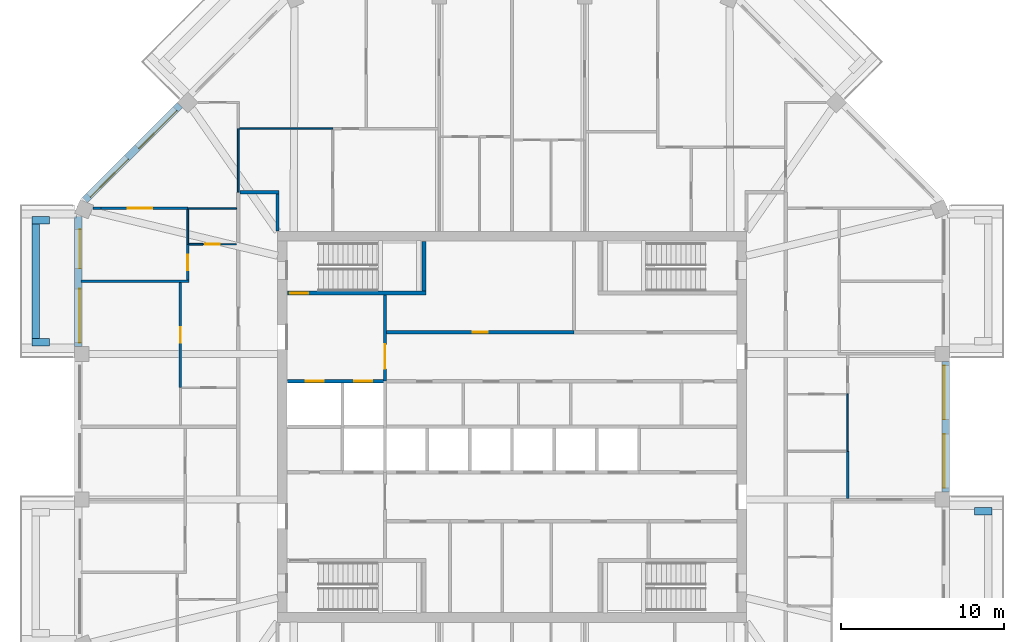
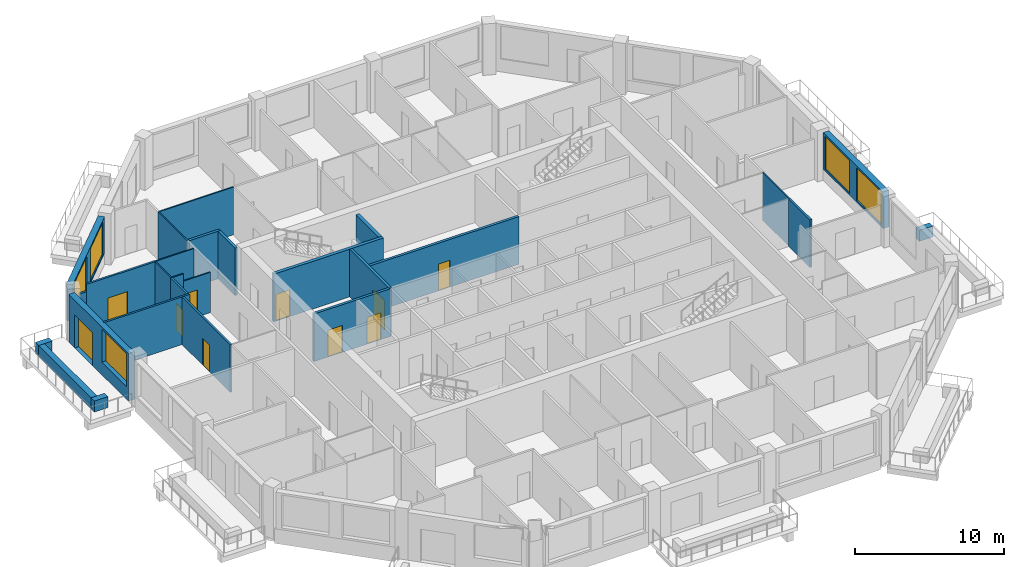
# One storey, part 7 of 12: 27 walls, 10 doors, 5 windows, 15 openings.
"""IFC4 building model written with IfcOpenShell, lengths in metres."""

from ifc_helpers import new_model, si_unit, direction, frame, frame_2d, origin, place, context, subcontext, project, spatial, rectangle, extrude, material, layer, layer_set, type_object, element, fill, save


model = new_model("IFC4")

# Units and contexts
model_context = context("Model", 3, precision=1e-05, world=origin(), true_north=direction((0.0, 1.0)))
body_context = subcontext(model_context, "Body", "Model", "MODEL_VIEW")
ifc_project = project(units=[si_unit("LENGTHUNIT", "METRE"), si_unit("AREAUNIT", "SQUARE_METRE"), si_unit("VOLUMEUNIT", "CUBIC_METRE"), si_unit("PLANEANGLEUNIT", "RADIAN"), si_unit("MASSUNIT", "GRAM", prefix="KILO")], contexts=[model_context])

# Site, building, storey
site_placement = place(None, origin())
site = spatial("IfcSite", under=ifc_project, at=site_placement, CompositionType="ELEMENT")
building_placement = place(site_placement, origin())
building = spatial("IfcBuilding", under=site, at=building_placement, Name="Msitu Wima Residences", CompositionType="ELEMENT")
storey_placement = place(building_placement, frame((0.0, 0.0, 306.300048828125)))
storey = spatial("IfcBuildingStorey", under=building, at=storey_placement, Name="L71", CompositionType="ELEMENT", Elevation=306.300048828125)

# Walls
ifc_material_1 = material(Name="Facing brick")
ifc_layer_1 = layer(ifc_material_1, 0.06494140625, Name="Facing brick")
ifc_material_2 = material(Name="Concrete C40/50", Category="concrete")
ifc_layer_2 = layer(ifc_material_2, 0.156005859375, Name="Concrete C40/50")
ifc_material_3 = material(Name="Waterproofing membrane")
ifc_layer_3 = layer(ifc_material_3, 0.00390625, Name="Waterproofing membrane")
ifc_material_4 = material(Name="Planting soil and planting")
ifc_layer_4 = layer(ifc_material_4, 0.22509765625, Name="Planting soil and planting")
ifc_layer_set_1 = layer_set([ifc_layer_1, ifc_layer_2, ifc_layer_3, ifc_layer_4], Name="Concrete C40/50")
wall_type_1 = type_object("IfcWallType", Name="Balcony planter PLANTER PL450", PredefinedType="USERDEFINED", material=ifc_layer_set_1)
wall_1_placement = place(storey_placement, frame((28.39990234375, -5.193603515625, 0.0), z_axis=(0.0, 0.0, 1.0), x_axis=(1.0, 0.0, 0.0)))
element("IfcWall", 1, at=wall_1_placement, inside=storey, type_object=wall_type_1, Name="Balcony planter E0 L71", ObjectType="PLANTER", PredefinedType="USERDEFINED", context=body_context, shape_type="SweptSolid", body=[
    extrude(rectangle(XDim=1.050048828125, YDim=0.449951171875, at=frame_2d((0.52490234375, 0.0))), origin(), (0.0, 0.0, 1.0), 0.89990234375),
])
wall_2_placement = place(storey_placement, frame((-29.22509765625, 12.455810546875, 0.0), z_axis=(0.0, 0.0, 1.0), x_axis=(0.0, -1.0, 0.0)))
element("IfcWall", 2, at=wall_2_placement, inside=storey, type_object=wall_type_1, Name="Balcony planter W0 L71", ObjectType="PLANTER", PredefinedType="USERDEFINED", context=body_context, shape_type="SweptSolid", body=[
    extrude(rectangle(XDim=7.037109375, YDim=0.449951171875, at=frame_2d((3.5185546875, 0.0))), origin(), (0.0, 0.0, 1.0), 0.89990234375),
])
for number, where, z_axis, x_axis, name in (
    (3, (-28.39990234375, 12.680908203125, 0.0), (0.0, 0.0, 1.0), (-1.0, 0.0, 0.0), "Balcony planter W0 L71"),
    (4, (-28.39990234375, 5.193603515625, 0.0), (0.0, 0.0, 1.0), (-1.0, 0.0, 0.0), "Balcony planter W0 L71"),
):
    element("IfcWall", number, at=place(storey_placement, frame(where, z_axis=z_axis, x_axis=x_axis)), inside=storey, type_object=wall_type_1, Name=name, ObjectType="PLANTER", PredefinedType="USERDEFINED", context=body_context, shape_type="SweptSolid", body=[
        extrude(rectangle(XDim=1.050048828125, YDim=0.449951171875, at=frame_2d((0.52490234375, 0.0))), origin(), (0.0, 0.0, 1.0), 0.89990234375),
    ])

# Wall, openings, windows
ifc_material_5 = material(Name="Brick (red buff mix)", Category="masonry")
ifc_layer_5 = layer(ifc_material_5, 0.449951171875)
ifc_layer_set_2 = layer_set([ifc_layer_5], Name="Brick (red buff mix)")
wall_type_2 = type_object("IfcWallType", Name="Brick infill wall BW450", PredefinedType="SOLIDWALL", material=ifc_layer_set_2)
wall_3_placement = place(storey_placement, frame((26.625, -4.0185546875, 0.89990234375), z_axis=(0.0, 0.0, 1.0), x_axis=(0.0, 1.0, 0.0)))
wall_3 = element("IfcWall", 5, at=wall_3_placement, inside=storey, type_object=wall_type_2, Name="Brick infill wall L71 E1", PredefinedType="SOLIDWALL", context=body_context, shape_type="SweptSolid", body=[
    extrude(rectangle(XDim=8.037109375, YDim=0.449951171875, at=frame_2d((4.0185546875, 0.0))), origin(), (0.0, 0.0, 1.0), 3.0),
])
opening_1_placement = place(wall_3_placement, frame((0.2685546875, 0.0, 0.14990234375)))
opening_1 = element("IfcOpeningElement", 6, at=opening_1_placement, cuts=wall_3, Name="Opening W71.002", PredefinedType="OPENING", context=body_context, shape_type="SweptSolid", body=[
    extrude(rectangle(XDim=3.300048828125, YDim=2.699951171875, at=frame_2d((1.64990234375, 1.35009765625))), frame((0.0, 0.23486328125, 0.0), z_axis=(0.0, -1.0, 0.0), x_axis=(1.0, 0.0, 0.0)), (0.0, 0.0, 1.0), 0.469970703125),
])
opening_2_placement = place(wall_3_placement, frame((4.46875, 0.0, 0.14990234375)))
opening_2 = element("IfcOpeningElement", 7, at=opening_2_placement, cuts=wall_3, Name="Opening W71.003", PredefinedType="OPENING", context=body_context, shape_type="SweptSolid", body=[
    extrude(rectangle(XDim=3.300048828125, YDim=2.699951171875, at=frame_2d((1.64990234375, 1.35009765625))), frame((0.0, 0.23486328125, 0.0), z_axis=(0.0, -1.0, 0.0), x_axis=(1.0, 0.0, 0.0)), (0.0, 0.0, 1.0), 0.469970703125),
])
ifc_material_6 = material(Name="Anodised aluminium, bronze finish, clear low-emissivity double glazing", Category="aluminium")
window_type = type_object("IfcWindowType", Name="Window W3300x2700", PartitioningType="DOUBLE_PANEL_VERTICAL", PredefinedType="WINDOW", material=ifc_material_6)
window_1_placement = place(opening_1_placement, origin())
window_1 = element("IfcWindow", 8, at=window_1_placement, inside=storey, type_object=window_type, Name="Window L71 E1.1", OverallHeight=2.699951171875, OverallWidth=3.300048828125, PartitioningType="SINGLE_PANEL", PredefinedType="WINDOW", context=body_context, shape_type="SweptSolid", body=[
    extrude(rectangle(XDim=3.300048828125, YDim=2.699951171875, at=frame_2d((1.64990234375, 1.35009765625))), frame((0.0, 0.135009765625, 0.0), z_axis=(0.0, -1.0, 0.0), x_axis=(1.0, 0.0, 0.0)), (0.0, 0.0, 1.0), 0.06005859375),
])
fill(opening_1, window_1)
window_2_placement = place(opening_2_placement, origin())
window_2 = element("IfcWindow", 9, at=window_2_placement, inside=storey, type_object=window_type, Name="Window L71 E1.2", OverallHeight=2.699951171875, OverallWidth=3.300048828125, PartitioningType="SINGLE_PANEL", PredefinedType="WINDOW", context=body_context, shape_type="SweptSolid", body=[
    extrude(rectangle(XDim=3.300048828125, YDim=2.699951171875, at=frame_2d((1.64990234375, 1.35009765625))), frame((0.0, 0.135009765625, 0.0), z_axis=(0.0, -1.0, 0.0), x_axis=(1.0, 0.0, 0.0)), (0.0, 0.0, 1.0), 0.06005859375),
])
fill(opening_2, window_2)

wall_4_placement = place(storey_placement, frame((-20.380126953125, 19.743896484375, 0.89990234375), z_axis=(0.0, 0.0, 1.0), x_axis=(-0.707106781187, -0.707106781187, 0.0)))
wall_4 = element("IfcWall", 10, at=wall_4_placement, inside=storey, type_object=wall_type_2, Name="Brick infill wall L71 NW1", PredefinedType="SOLIDWALL", context=body_context, shape_type="SweptSolid", body=[
    extrude(rectangle(XDim=8.251220703125, YDim=0.449951171875, at=frame_2d((4.12548828125, 0.0))), origin(), (0.0, 0.0, 1.0), 3.0),
])
opening_3_placement = place(wall_4_placement, frame((0.37548828125, 0.0, 0.14990234375)))
opening_3 = element("IfcOpeningElement", 11, at=opening_3_placement, cuts=wall_4, Name="Opening W71.014", PredefinedType="OPENING", context=body_context, shape_type="SweptSolid", body=[
    extrude(rectangle(XDim=3.300048828125, YDim=2.699951171875, at=frame_2d((1.64990234375, 1.35009765625))), frame((0.0, 0.23486328125, 0.0), z_axis=(0.0, -1.0, 0.0), x_axis=(1.0, 0.0, 0.0)), (0.0, 0.0, 1.0), 0.469970703125),
])
opening_4_placement = place(wall_4_placement, frame((4.57568359375, 0.0, 0.14990234375)))
opening_4 = element("IfcOpeningElement", 12, at=opening_4_placement, cuts=wall_4, Name="Opening W71.015", PredefinedType="OPENING", context=body_context, shape_type="SweptSolid", body=[
    extrude(rectangle(XDim=3.300048828125, YDim=2.699951171875, at=frame_2d((1.64990234375, 1.35009765625))), frame((0.0, 0.23486328125, 0.0), z_axis=(0.0, -1.0, 0.0), x_axis=(1.0, 0.0, 0.0)), (0.0, 0.0, 1.0), 0.469970703125),
])
window_3_placement = place(opening_3_placement, origin())
window_3 = element("IfcWindow", 13, at=window_3_placement, inside=storey, type_object=window_type, Name="Window L71 NW1.1", OverallHeight=2.699951171875, OverallWidth=3.300048828125, PartitioningType="SINGLE_PANEL", PredefinedType="WINDOW", context=body_context, shape_type="SweptSolid", body=[
    extrude(rectangle(XDim=3.300048828125, YDim=2.699951171875, at=frame_2d((1.64990234375, 1.35009765625))), frame((0.0, 0.135009765625, 0.0), z_axis=(0.0, -1.0, 0.0), x_axis=(1.0, 0.0, 0.0)), (0.0, 0.0, 1.0), 0.06005859375),
])
fill(opening_3, window_3)
window_4_placement = place(opening_4_placement, origin())
window_4 = element("IfcWindow", 14, at=window_4_placement, inside=storey, type_object=window_type, Name="Window L71 NW1.2", OverallHeight=2.699951171875, OverallWidth=3.300048828125, PartitioningType="SINGLE_PANEL", PredefinedType="WINDOW", context=body_context, shape_type="SweptSolid", body=[
    extrude(rectangle(XDim=3.300048828125, YDim=2.699951171875, at=frame_2d((1.64990234375, 1.35009765625))), frame((0.0, 0.135009765625, 0.0), z_axis=(0.0, -1.0, 0.0), x_axis=(1.0, 0.0, 0.0)), (0.0, 0.0, 1.0), 0.06005859375),
])
fill(opening_4, window_4)

# Wall, openings, door, window
wall_5_placement = place(storey_placement, frame((-26.625, 12.918701171875, 0.0), z_axis=(0.0, 0.0, 1.0), x_axis=(0.0, -1.0, 0.0)))
wall_5 = element("IfcWall", 15, at=wall_5_placement, inside=storey, type_object=wall_type_2, Name="Brick infill wall L71 W0", PredefinedType="SOLIDWALL", context=body_context, shape_type="SweptSolid", body=[
    extrude(rectangle(XDim=8.0, YDim=0.449951171875, at=frame_2d((4.0, 0.0))), origin(), (0.0, 0.0, 1.0), 3.89990234375),
])
opening_5_placement = place(wall_5_placement, frame((0.800048828125, 0.0, 0.0)))
opening_5 = element("IfcOpeningElement", 16, at=opening_5_placement, cuts=wall_5, Name="Opening D71.009", PredefinedType="OPENING", context=body_context, shape_type="SweptSolid", body=[
    extrude(rectangle(XDim=2.39990234375, YDim=2.699951171875, at=frame_2d((1.199951171875, 1.35009765625))), frame((0.0, 0.23486328125, 0.0), z_axis=(0.0, -1.0, 0.0), x_axis=(1.0, 0.0, 0.0)), (0.0, 0.0, 1.0), 0.469970703125),
])
opening_6_placement = place(wall_5_placement, frame((4.4501953125, 0.0, 1.050048828125)))
opening_6 = element("IfcOpeningElement", 17, at=opening_6_placement, cuts=wall_5, Name="Opening W71.027", PredefinedType="OPENING", context=body_context, shape_type="SweptSolid", body=[
    extrude(rectangle(XDim=3.300048828125, YDim=2.699951171875, at=frame_2d((1.64990234375, 1.35009765625))), frame((0.0, 0.23486328125, 0.0), z_axis=(0.0, -1.0, 0.0), x_axis=(1.0, 0.0, 0.0)), (0.0, 0.0, 1.0), 0.469970703125),
])
door_type_1 = type_object("IfcDoorType", Name="Balcony door D2400x2700", OperationType="SLIDING_TO_LEFT", PredefinedType="DOOR", material=ifc_material_6)
door_1_placement = place(opening_5_placement, origin())
door_1 = element("IfcDoor", 18, at=door_1_placement, inside=storey, type_object=door_type_1, Name="Balcony door L71 W0", OperationType="SINGLE_SWING_LEFT", OverallHeight=2.699951171875, OverallWidth=2.39990234375, PredefinedType="DOOR", context=body_context, shape_type="SweptSolid", body=[
    extrude(rectangle(XDim=2.39990234375, YDim=2.699951171875, at=frame_2d((1.199951171875, 1.35009765625))), frame((0.0, 0.1298828125, 0.0), z_axis=(0.0, -1.0, 0.0), x_axis=(1.0, 0.0, 0.0)), (0.0, 0.0, 1.0), 0.050048828125),
])
fill(opening_5, door_1)
window_5_placement = place(opening_6_placement, origin())
window_5 = element("IfcWindow", 19, at=window_5_placement, inside=storey, type_object=window_type, Name="Window L71 W0.2", OverallHeight=2.699951171875, OverallWidth=3.300048828125, PartitioningType="SINGLE_PANEL", PredefinedType="WINDOW", context=body_context, shape_type="SweptSolid", body=[
    extrude(rectangle(XDim=3.300048828125, YDim=2.699951171875, at=frame_2d((1.64990234375, 1.35009765625))), frame((0.0, 0.135009765625, 0.0), z_axis=(0.0, -1.0, 0.0), x_axis=(1.0, 0.0, 0.0)), (0.0, 0.0, 1.0), 0.06005859375),
])
fill(opening_6, window_5)

# Walls
ifc_material_7 = material(Name="Plaster")
ifc_layer_6 = layer(ifc_material_7, 0.011962890625, Name="Plaster")
ifc_material_8 = material(Name="Concrete blockwork", Category="masonry")
ifc_layer_7 = layer(ifc_material_8, 0.176025390625, Name="Concrete blockwork")
ifc_layer_8 = layer(ifc_material_7, 0.011962890625, Name="Plaster")
ifc_layer_set_3 = layer_set([ifc_layer_6, ifc_layer_7, ifc_layer_8], Name="Concrete blockwork")
wall_type_3 = type_object("IfcWallType", Name="Corridor wall FW200", PredefinedType="PARTITIONING", material=ifc_layer_set_3)
wall_6_placement = place(storey_placement, frame((-16.699951171875, 14.39990234375, 0.0), z_axis=(0.0, 0.0, 1.0), x_axis=(1.0, 0.0, 0.0)))
element("IfcWall", 20, at=wall_6_placement, inside=storey, type_object=wall_type_3, Name="Corridor wall", PredefinedType="PARTITIONING", context=body_context, shape_type="SweptSolid", body=[
    extrude(rectangle(XDim=2.39990234375, YDim=0.199951171875, at=frame_2d((1.199951171875, 0.0))), origin(), (0.0, 0.0, 1.0), 3.89990234375),
])
wall_7_placement = place(storey_placement, frame((-14.39990234375, 12.030029296875, 0.0), z_axis=(0.0, 0.0, 1.0), x_axis=(0.0, 1.0, 0.0)))
element("IfcWall", 21, at=wall_7_placement, inside=storey, type_object=wall_type_3, Name="Corridor wall", PredefinedType="PARTITIONING", context=body_context, shape_type="SweptSolid", body=[
    extrude(rectangle(XDim=2.27001953125, YDim=0.199951171875, at=frame_2d((1.135009765625, 0.0))), origin(), (0.0, 0.0, 1.0), 3.89990234375),
])

# Wall, opening, door
wall_8_placement = place(storey_placement, frame((-7.800048828125, 2.800048828125, 0.0), z_axis=(0.0, 0.0, 1.0), x_axis=(0.0, 1.0, 0.0)))
wall_8 = element("IfcWall", 22, at=wall_8_placement, inside=storey, type_object=wall_type_3, Name="Corridor wall", PredefinedType="PARTITIONING", context=body_context, shape_type="SweptSolid", body=[
    extrude(rectangle(XDim=5.27490234375, YDim=0.199951171875, at=frame_2d((2.637451171875, 0.0))), origin(), (0.0, 0.0, 1.0), 3.89990234375),
])
opening_7_placement = place(wall_8_placement, frame((0.75, 0.0, 0.0)))
opening_7 = element("IfcOpeningElement", 23, at=opening_7_placement, cuts=wall_8, Name="Opening D71.066", PredefinedType="OPENING", context=body_context, shape_type="SweptSolid", body=[
    extrude(rectangle(XDim=1.5, YDim=2.39990234375, at=frame_2d((0.75, 1.199951171875))), frame((0.0, 0.10986328125, 0.0), z_axis=(0.0, -1.0, 0.0), x_axis=(1.0, 0.0, 0.0)), (0.0, 0.0, 1.0), 0.219970703125),
])
ifc_material_9 = material(Name="Steel framed glazed door, fire resisting", Category="steel")
door_type_2 = type_object("IfcDoorType", Name="Lobby door D07 1500x2400", OperationType="DOUBLE_DOOR_SINGLE_SWING", PredefinedType="DOOR", material=ifc_material_9)
door_2_placement = place(opening_7_placement, origin())
door_2 = element("IfcDoor", 24, at=door_2_placement, inside=storey, type_object=door_type_2, Name="Lobby door", OperationType="DOUBLE_DOOR_SINGLE_SWING", OverallHeight=2.39990234375, OverallWidth=1.5, PredefinedType="DOOR", context=body_context, shape_type="SweptSolid", body=[
    extrude(rectangle(XDim=1.5, YDim=2.39990234375, at=frame_2d((0.75, 1.199951171875))), frame((0.0, 0.02490234375, 0.0), z_axis=(0.0, -1.0, 0.0), x_axis=(1.0, 0.0, 0.0)), (0.0, 0.0, 1.0), 0.050048828125),
])
fill(opening_7, door_2)

wall_9_placement = place(storey_placement, frame((-7.699951171875, 5.800048828125, 0.0), z_axis=(0.0, 0.0, 1.0), x_axis=(1.0, 0.0, 0.0)))
wall_9 = element("IfcWall", 25, at=wall_9_placement, inside=storey, type_object=wall_type_3, Name="Corridor wall", PredefinedType="PARTITIONING", context=body_context, shape_type="SweptSolid", body=[
    extrude(rectangle(XDim=11.52001953125, YDim=0.199951171875, at=frame_2d((5.760009765625, 0.0))), origin(), (0.0, 0.0, 1.0), 3.89990234375),
])
opening_8_placement = place(wall_9_placement, frame((5.300048828125, 0.0, 0.0)))
opening_8 = element("IfcOpeningElement", 26, at=opening_8_placement, cuts=wall_9, Name="Opening D71.069", PredefinedType="OPENING", context=body_context, shape_type="SweptSolid", body=[
    extrude(rectangle(XDim=0.89990234375, YDim=2.199951171875, at=frame_2d((0.449951171875, 1.10009765625))), frame((0.0, 0.10986328125, 0.0), z_axis=(0.0, -1.0, 0.0), x_axis=(1.0, 0.0, 0.0)), (0.0, 0.0, 1.0), 0.219970703125),
])
ifc_material_10 = material(Name="Timber flush door", Category="wood")
door_type_3 = type_object("IfcDoorType", Name="Service door D05 900x2200", OperationType="SINGLE_SWING_LEFT", PredefinedType="DOOR", material=ifc_material_10)
door_3_placement = place(opening_8_placement, origin())
door_3 = element("IfcDoor", 27, at=door_3_placement, inside=storey, type_object=door_type_3, Name="Service door", OperationType="SINGLE_SWING_LEFT", OverallHeight=2.199951171875, OverallWidth=0.89990234375, PredefinedType="DOOR", context=body_context, shape_type="SweptSolid", body=[
    extrude(rectangle(XDim=0.89990234375, YDim=2.199951171875, at=frame_2d((0.449951171875, 1.10009765625))), frame((0.0, 0.02490234375, 0.0), z_axis=(0.0, -1.0, 0.0), x_axis=(1.0, 0.0, 0.0)), (0.0, 0.0, 1.0), 0.050048828125),
])
fill(opening_8, door_3)

# Walls
ifc_layer_9 = layer(ifc_material_7, 0.011962890625, Name="Plaster")
ifc_layer_10 = layer(ifc_material_8, 0.1259765625, Name="Concrete blockwork")
ifc_layer_11 = layer(ifc_material_7, 0.011962890625, Name="Plaster")
ifc_layer_set_4 = layer_set([ifc_layer_9, ifc_layer_10, ifc_layer_11], Name="Concrete blockwork")
wall_type_4 = type_object("IfcWallType", Name="Partition PW150", PredefinedType="PARTITIONING", material=ifc_layer_set_4)
wall_10_placement = place(storey_placement, frame((-26.455078125, 8.937255859375, 0.0), z_axis=(0.0, 0.0, 1.0), x_axis=(1.0, 0.0, 0.0)))
element("IfcWall", 28, at=wall_10_placement, inside=storey, type_object=wall_type_4, Name="Partition", PredefinedType="PARTITIONING", context=body_context, shape_type="SweptSolid", body=[
    extrude(rectangle(XDim=6.630126953125, YDim=0.14990234375, at=frame_2d((3.31494140625, 0.0))), origin(), (0.0, 0.0, 1.0), 3.89990234375),
])
wall_11_placement = place(storey_placement, frame((-25.731201171875, 13.406005859375, 0.0), z_axis=(0.0, 0.0, 1.0), x_axis=(1.0, 0.0, 0.0)))
element("IfcWall", 29, at=wall_11_placement, inside=storey, type_object=wall_type_4, Name="Partition", PredefinedType="PARTITIONING", context=body_context, shape_type="SweptSolid", body=[
    extrude(rectangle(XDim=0.507080078125, YDim=0.14990234375, at=frame_2d((0.25341796875, 0.0))), origin(), (0.0, 0.0, 1.0), 3.300048828125),
])

# Wall, opening, door
wall_12_placement = place(storey_placement, frame((-25.22412109375, 13.406005859375, 0.0), z_axis=(0.0, 0.0, 1.0), x_axis=(1.0, 0.0, 0.0)))
wall_12 = element("IfcWall", 30, at=wall_12_placement, inside=storey, type_object=wall_type_4, Name="Partition", PredefinedType="PARTITIONING", context=body_context, shape_type="SweptSolid", body=[
    extrude(rectangle(XDim=5.32421875, YDim=0.14990234375, at=frame_2d((2.662109375, 0.0))), origin(), (0.0, 0.0, 1.0), 3.89990234375),
])
opening_9_placement = place(wall_12_placement, frame((1.642822265625, 0.0, 0.0)))
opening_9 = element("IfcOpeningElement", 31, at=opening_9_placement, cuts=wall_12, Name="Opening D71.045", PredefinedType="OPENING", context=body_context, shape_type="SweptSolid", body=[
    extrude(rectangle(XDim=1.5, YDim=2.199951171875, at=frame_2d((0.75, 1.10009765625))), frame((0.0, 0.0849609375, 0.0), z_axis=(0.0, -1.0, 0.0), x_axis=(1.0, 0.0, 0.0)), (0.0, 0.0, 1.0), 0.169921875),
])
ifc_material_11 = material(Name="Timber double door", Category="wood")
door_type_4 = type_object("IfcDoorType", Name="Double door D04 1500x2200", OperationType="DOUBLE_DOOR_SINGLE_SWING", PredefinedType="DOOR", material=ifc_material_11)
door_4_placement = place(opening_9_placement, origin())
door_4 = element("IfcDoor", 32, at=door_4_placement, inside=storey, type_object=door_type_4, Name="Double door", OperationType="DOUBLE_DOOR_SINGLE_SWING", OverallHeight=2.199951171875, OverallWidth=1.5, PredefinedType="DOOR", context=body_context, shape_type="SweptSolid", body=[
    extrude(rectangle(XDim=1.5, YDim=2.199951171875, at=frame_2d((0.75, 1.10009765625))), frame((0.0, 0.02490234375, 0.0), z_axis=(0.0, -1.0, 0.0), x_axis=(1.0, 0.0, 0.0)), (0.0, 0.0, 1.0), 0.050048828125),
])
fill(opening_9, door_4)

wall_13_placement = place(storey_placement, frame((-20.35009765625, 2.39990234375, 0.0), z_axis=(0.0, 0.0, 1.0), x_axis=(0.0, 1.0, 0.0)))
wall_13 = element("IfcWall", 33, at=wall_13_placement, inside=storey, type_object=wall_type_4, Name="Partition", PredefinedType="PARTITIONING", context=body_context, shape_type="SweptSolid", body=[
    extrude(rectangle(XDim=6.46240234375, YDim=0.14990234375, at=frame_2d((3.231201171875, 0.0))), origin(), (0.0, 0.0, 1.0), 3.89990234375),
])
opening_10_placement = place(wall_13_placement, frame((2.75, 0.0, 0.0)))
opening_10 = element("IfcOpeningElement", 34, at=opening_10_placement, cuts=wall_13, Name="Opening D71.043", PredefinedType="OPENING", context=body_context, shape_type="SweptSolid", body=[
    extrude(rectangle(XDim=0.949951171875, YDim=2.199951171875, at=frame_2d((0.47509765625, 1.10009765625))), frame((0.0, 0.0849609375, 0.0), z_axis=(0.0, -1.0, 0.0), x_axis=(1.0, 0.0, 0.0)), (0.0, 0.0, 1.0), 0.169921875),
])
door_type_5 = type_object("IfcDoorType", Name="Room door D12 950x2200", OperationType="SINGLE_SWING_LEFT", PredefinedType="DOOR", material=ifc_material_10)
door_5_placement = place(opening_10_placement, origin())
door_5 = element("IfcDoor", 35, at=door_5_placement, inside=storey, type_object=door_type_5, Name="Room door", OperationType="SINGLE_SWING_RIGHT", OverallHeight=2.199951171875, OverallWidth=0.949951171875, PredefinedType="DOOR", context=body_context, shape_type="SweptSolid", body=[
    extrude(rectangle(XDim=0.949951171875, YDim=2.199951171875, at=frame_2d((0.47509765625, 1.10009765625))), frame((0.0, 0.02490234375, 0.0), z_axis=(0.0, -1.0, 0.0), x_axis=(1.0, 0.0, 0.0)), (0.0, 0.0, 1.0), 0.050048828125),
])
fill(opening_10, door_5)

wall_14_placement = place(storey_placement, frame((-19.89990234375, 9.01220703125, 0.0), z_axis=(0.0, 0.0, 1.0), x_axis=(0.0, 1.0, 0.0)))
wall_14 = element("IfcWall", 36, at=wall_14_placement, inside=storey, type_object=wall_type_4, Name="Partition", PredefinedType="PARTITIONING", context=body_context, shape_type="SweptSolid", body=[
    extrude(rectangle(XDim=2.187744140625, YDim=0.14990234375, at=frame_2d((1.09375, 0.0))), origin(), (0.0, 0.0, 1.0), 3.89990234375),
])
opening_11_placement = place(wall_14_placement, frame((0.60009765625, 0.0, 0.0)))
opening_11 = element("IfcOpeningElement", 37, at=opening_11_placement, cuts=wall_14, Name="Opening D71.044", PredefinedType="OPENING", context=body_context, shape_type="SweptSolid", body=[
    extrude(rectangle(XDim=0.949951171875, YDim=2.199951171875, at=frame_2d((0.47509765625, 1.10009765625))), frame((0.0, 0.0849609375, 0.0), z_axis=(0.0, -1.0, 0.0), x_axis=(1.0, 0.0, 0.0)), (0.0, 0.0, 1.0), 0.169921875),
])
door_6_placement = place(opening_11_placement, origin())
door_6 = element("IfcDoor", 38, at=door_6_placement, inside=storey, type_object=door_type_5, Name="Room door", OperationType="SINGLE_SWING_LEFT", OverallHeight=2.199951171875, OverallWidth=0.949951171875, PredefinedType="DOOR", context=body_context, shape_type="SweptSolid", body=[
    extrude(rectangle(XDim=0.949951171875, YDim=2.199951171875, at=frame_2d((0.47509765625, 1.10009765625))), frame((0.0, 0.02490234375, 0.0), z_axis=(0.0, -1.0, 0.0), x_axis=(1.0, 0.0, 0.0)), (0.0, 0.0, 1.0), 0.050048828125),
])
fill(opening_11, door_6)

# Wall
wall_15_placement = place(storey_placement, frame((20.60009765625, -4.3935546875, 0.0), z_axis=(0.0, 0.0, 1.0), x_axis=(0.0, 1.0, 0.0)))
element("IfcWall", 39, at=wall_15_placement, inside=storey, type_object=wall_type_4, Name="Partition", PredefinedType="PARTITIONING", context=body_context, shape_type="SweptSolid", body=[
    extrude(rectangle(XDim=2.8935546875, YDim=0.14990234375, at=frame_2d((1.44677734375, 0.0))), origin(), (0.0, 0.0, 1.0), 3.89990234375),
])

# Wall, openings, doors
ifc_material_12 = material(Name="Fire-rated board")
ifc_layer_12 = layer(ifc_material_12, 0.02490234375, Name="Fire-rated board")
ifc_material_13 = material(Name="Light-gauge stud framing with mineral wool")
ifc_layer_13 = layer(ifc_material_13, 0.14990234375, Name="Light-gauge stud framing with mineral wool")
ifc_layer_14 = layer(ifc_material_12, 0.02490234375, Name="Fire-rated board")
ifc_layer_set_5 = layer_set([ifc_layer_12, ifc_layer_13, ifc_layer_14], Name="Light-gauge stud framing with mineral wool")
wall_type_5 = type_object("IfcWallType", Name="Shaft wall SH200", PredefinedType="PARTITIONING", material=ifc_layer_set_5)
wall_16_placement = place(storey_placement, frame((-13.77001953125, 2.800048828125, 0.0), z_axis=(0.0, 0.0, 1.0), x_axis=(1.0, 0.0, 0.0)))
wall_16 = element("IfcWall", 40, at=wall_16_placement, inside=storey, type_object=wall_type_5, Name="Shaft wall", PredefinedType="PARTITIONING", context=body_context, shape_type="SweptSolid", body=[
    extrude(rectangle(XDim=5.949951171875, YDim=0.199951171875, at=frame_2d((2.97509765625, 0.0))), origin(), (0.0, 0.0, 1.0), 3.89990234375),
])
opening_12_placement = place(wall_16_placement, frame((1.10009765625, 0.0, 0.0)))
opening_12 = element("IfcOpeningElement", 41, at=opening_12_placement, cuts=wall_16, Name="Opening LD", PredefinedType="OPENING", context=body_context, shape_type="SweptSolid", body=[
    extrude(rectangle(XDim=1.10009765625, YDim=2.199951171875, at=frame_2d((0.550048828125, 1.10009765625))), frame((0.0, 0.10986328125, 0.0), z_axis=(0.0, -1.0, 0.0), x_axis=(1.0, 0.0, 0.0)), (0.0, 0.0, 1.0), 0.219970703125),
])
opening_13_placement = place(wall_16_placement, frame((4.10009765625, 0.0, 0.0)))
opening_13 = element("IfcOpeningElement", 42, at=opening_13_placement, cuts=wall_16, Name="Opening LD", PredefinedType="OPENING", context=body_context, shape_type="SweptSolid", body=[
    extrude(rectangle(XDim=1.10009765625, YDim=2.199951171875, at=frame_2d((0.550048828125, 1.10009765625))), frame((0.0, 0.10986328125, 0.0), z_axis=(0.0, -1.0, 0.0), x_axis=(1.0, 0.0, 0.0)), (0.0, 0.0, 1.0), 0.219970703125),
])
ifc_material_14 = material(Name="Stainless steel centre-opening landing door, rated", Category="steel")
door_type_6 = type_object("IfcDoorType", Name="Lift landing door LD 1100x2200", OperationType="DOUBLE_DOOR_SLIDING", PredefinedType="DOOR", material=ifc_material_14)
door_7_placement = place(opening_12_placement, origin())
door_7 = element("IfcDoor", 43, at=door_7_placement, inside=storey, type_object=door_type_6, Name="Lift landing door LD1", OperationType="DOUBLE_DOOR_SLIDING", OverallHeight=2.199951171875, OverallWidth=1.10009765625, PredefinedType="DOOR", context=body_context, shape_type="SweptSolid", body=[
    extrude(rectangle(XDim=1.10009765625, YDim=2.199951171875, at=frame_2d((0.550048828125, 1.10009765625))), frame((0.0, 0.02490234375, 0.0), z_axis=(0.0, -1.0, 0.0), x_axis=(1.0, 0.0, 0.0)), (0.0, 0.0, 1.0), 0.050048828125),
])
fill(opening_12, door_7)
door_8_placement = place(opening_13_placement, origin())
door_8 = element("IfcDoor", 44, at=door_8_placement, inside=storey, type_object=door_type_6, Name="Lift landing door LD2", OperationType="DOUBLE_DOOR_SLIDING", OverallHeight=2.199951171875, OverallWidth=1.10009765625, PredefinedType="DOOR", context=body_context, shape_type="SweptSolid", body=[
    extrude(rectangle(XDim=1.10009765625, YDim=2.199951171875, at=frame_2d((0.550048828125, 1.10009765625))), frame((0.0, 0.02490234375, 0.0), z_axis=(0.0, -1.0, 0.0), x_axis=(1.0, 0.0, 0.0)), (0.0, 0.0, 1.0), 0.050048828125),
])
fill(opening_13, door_8)

# Wall, opening, door
ifc_material_15 = material(Name="Concrete C50/60", Category="concrete")
ifc_layer_15 = layer(ifc_material_15, 0.25)
ifc_layer_set_6 = layer_set([ifc_layer_15], Name="Concrete C50/60")
wall_type_6 = type_object("IfcWallType", Name="Stair enclosure wall SW250", PredefinedType="SHEAR", material=ifc_layer_set_6)
wall_17_placement = place(storey_placement, frame((-13.77001953125, 8.199951171875, 0.0), z_axis=(0.0, 0.0, 1.0), x_axis=(1.0, 0.0, 0.0)))
wall_17 = element("IfcWall", 45, at=wall_17_placement, inside=storey, type_object=wall_type_6, Name="Stair enclosure wall", PredefinedType="SHEAR", context=body_context, shape_type="SweptSolid", body=[
    extrude(rectangle(XDim=8.4951171875, YDim=0.25, at=frame_2d((4.24755859375, 0.0))), origin(), (0.0, 0.0, 1.0), 3.89990234375),
])
opening_14_placement = place(wall_17_placement, frame((0.14990234375, 0.0, 0.0)))
opening_14 = element("IfcOpeningElement", 46, at=opening_14_placement, cuts=wall_17, Name="Opening D71.085", PredefinedType="OPENING", context=body_context, shape_type="SweptSolid", body=[
    extrude(rectangle(XDim=1.10009765625, YDim=2.199951171875, at=frame_2d((0.550048828125, 1.10009765625))), frame((0.0, 0.135009765625, 0.0), z_axis=(0.0, -1.0, 0.0), x_axis=(1.0, 0.0, 0.0)), (0.0, 0.0, 1.0), 0.27001953125),
])
ifc_material_16 = material(Name="Steel door, fire resisting, panic bar", Category="steel")
door_type_7 = type_object("IfcDoorType", Name="Stair door D06 1100x2200", OperationType="SINGLE_SWING_LEFT", PredefinedType="DOOR", material=ifc_material_16)
door_9_placement = place(opening_14_placement, origin())
door_9 = element("IfcDoor", 47, at=door_9_placement, inside=storey, type_object=door_type_7, Name="Stair door", OperationType="SINGLE_SWING_LEFT", OverallHeight=2.199951171875, OverallWidth=1.10009765625, PredefinedType="DOOR", context=body_context, shape_type="SweptSolid", body=[
    extrude(rectangle(XDim=1.10009765625, YDim=2.199951171875, at=frame_2d((0.550048828125, 1.10009765625))), frame((0.0, 0.02490234375, 0.0), z_axis=(0.0, -1.0, 0.0), x_axis=(1.0, 0.0, 0.0)), (0.0, 0.0, 1.0), 0.050048828125),
])
fill(opening_14, door_9)

# Walls
wall_18_placement = place(storey_placement, frame((-5.39990234375, 8.324951171875, 0.0), z_axis=(0.0, 0.0, 1.0), x_axis=(0.0, 1.0, 0.0)))
element("IfcWall", 48, at=wall_18_placement, inside=storey, type_object=wall_type_6, Name="Stair enclosure wall", PredefinedType="SHEAR", context=body_context, shape_type="SweptSolid", body=[
    extrude(rectangle(XDim=3.045166015625, YDim=0.25, at=frame_2d((1.5224609375, 0.0))), origin(), (0.0, 0.0, 1.0), 3.89990234375),
])
ifc_material_17 = material(Name="Ceramic tiles")
ifc_layer_16 = layer(ifc_material_17, 0.008056640625, Name="Ceramic tiles")
ifc_material_18 = material(Name="Moisture-resistant board")
ifc_layer_17 = layer(ifc_material_18, 0.012451171875, Name="Moisture-resistant board")
ifc_layer_18 = layer(ifc_material_13, 0.06689453125, Name="Light-gauge stud framing with mineral wool")
ifc_layer_19 = layer(ifc_material_18, 0.012451171875, Name="Moisture-resistant board")
ifc_layer_set_7 = layer_set([ifc_layer_16, ifc_layer_17, ifc_layer_18, ifc_layer_19], Name="Light-gauge stud framing with mineral wool")
wall_type_7 = type_object("IfcWallType", Name="Wet wall PW100", PredefinedType="PARTITIONING", material=ifc_layer_set_7)
wall_19_placement = place(storey_placement, frame((-19.89990234375, 11.199951171875, 0.0), z_axis=(0.0, 0.0, 1.0), x_axis=(0.0, 1.0, 0.0)))
element("IfcWall", 49, at=wall_19_placement, inside=storey, type_object=wall_type_7, Name="Wet wall", PredefinedType="PARTITIONING", context=body_context, shape_type="SweptSolid", body=[
    extrude(rectangle(XDim=2.130859375, YDim=0.10009765625, at=frame_2d((1.0654296875, 0.0))), origin(), (0.0, 0.0, 1.0), 3.89990234375),
])
wall_20_placement = place(storey_placement, frame((-19.824951171875, 11.199951171875, 0.0), z_axis=(0.0, 0.0, 1.0), x_axis=(1.0, 0.0, 0.0)))
element("IfcWall", 50, at=wall_20_placement, inside=storey, type_object=wall_type_7, Name="Wet wall", PredefinedType="PARTITIONING", context=body_context, shape_type="SweptSolid", body=[
    extrude(rectangle(XDim=0.849853515625, YDim=0.10009765625, at=frame_2d((0.4248046875, 0.0))), origin(), (0.0, 0.0, 1.0), 3.89990234375),
])

# Wall, opening, door
wall_21_placement = place(storey_placement, frame((-18.97509765625, 11.199951171875, 0.0), z_axis=(0.0, 0.0, 1.0), x_axis=(1.0, 0.0, 0.0)))
wall_21 = element("IfcWall", 51, at=wall_21_placement, inside=storey, type_object=wall_type_7, Name="Wet wall", PredefinedType="PARTITIONING", context=body_context, shape_type="SweptSolid", body=[
    extrude(rectangle(XDim=2.0751953125, YDim=0.10009765625, at=frame_2d((1.03759765625, 0.0))), origin(), (0.0, 0.0, 1.0), 3.300048828125),
])
opening_15_placement = place(wall_21_placement, frame((0.14990234375, 0.0, 0.0)))
opening_15 = element("IfcOpeningElement", 52, at=opening_15_placement, cuts=wall_21, Name="Opening D71.042", PredefinedType="OPENING", context=body_context, shape_type="SweptSolid", body=[
    extrude(rectangle(XDim=0.89990234375, YDim=2.199951171875, at=frame_2d((0.449951171875, 1.10009765625))), frame((0.0, 0.06005859375, 0.0), z_axis=(0.0, -1.0, 0.0), x_axis=(1.0, 0.0, 0.0)), (0.0, 0.0, 1.0), 0.1201171875),
])
ifc_material_19 = material(Name="Timber flush door, moisture resistant", Category="wood")
door_type_8 = type_object("IfcDoorType", Name="Bathroom door D03 900x2200", OperationType="SINGLE_SWING_LEFT", PredefinedType="DOOR", material=ifc_material_19)
door_10_placement = place(opening_15_placement, origin())
door_10 = element("IfcDoor", 53, at=door_10_placement, inside=storey, type_object=door_type_8, Name="Bathroom door", OperationType="SINGLE_SWING_LEFT", OverallHeight=2.199951171875, OverallWidth=0.89990234375, PredefinedType="DOOR", context=body_context, shape_type="SweptSolid", body=[
    extrude(rectangle(XDim=0.89990234375, YDim=2.199951171875, at=frame_2d((0.449951171875, 1.10009765625))), frame((0.0, 0.02490234375, 0.0), z_axis=(0.0, -1.0, 0.0), x_axis=(1.0, 0.0, 0.0)), (0.0, 0.0, 1.0), 0.050048828125),
])
fill(opening_15, door_10)

# Walls
wall_22_placement = place(storey_placement, frame((-19.89990234375, 13.406005859375, 0.0), z_axis=(0.0, 0.0, 1.0), x_axis=(1.0, 0.0, 0.0)))
element("IfcWall", 54, at=wall_22_placement, inside=storey, type_object=wall_type_7, Name="Wet wall", PredefinedType="PARTITIONING", context=body_context, shape_type="SweptSolid", body=[
    extrude(rectangle(XDim=3.0, YDim=0.10009765625, at=frame_2d((1.5, 0.0))), origin(), (0.0, 0.0, 1.0), 3.89990234375),
])
wall_23_placement = place(storey_placement, frame((-16.800048828125, 14.39990234375, 0.0), z_axis=(0.0, 0.0, 1.0), x_axis=(0.0, 1.0, 0.0)))
element("IfcWall", 55, at=wall_23_placement, inside=storey, type_object=wall_type_7, Name="Wet wall", PredefinedType="PARTITIONING", context=body_context, shape_type="SweptSolid", body=[
    extrude(rectangle(XDim=3.900146484375, YDim=0.10009765625, at=frame_2d((1.9501953125, 0.0))), origin(), (0.0, 0.0, 1.0), 3.89990234375),
])
wall_24_placement = place(storey_placement, frame((-16.72509765625, 18.300048828125, 0.0), z_axis=(0.0, 0.0, 1.0), x_axis=(1.0, 0.0, 0.0)))
element("IfcWall", 56, at=wall_24_placement, inside=storey, type_object=wall_type_7, Name="Wet wall", PredefinedType="PARTITIONING", context=body_context, shape_type="SweptSolid", body=[
    extrude(rectangle(XDim=5.72509765625, YDim=0.10009765625, at=frame_2d((2.862548828125, 0.0))), origin(), (0.0, 0.0, 1.0), 3.89990234375),
])
wall_25_placement = place(storey_placement, frame((20.60009765625, -1.5, 0.0), z_axis=(0.0, 0.0, 1.0), x_axis=(0.0, 1.0, 0.0)))
element("IfcWall", 57, at=wall_25_placement, inside=storey, type_object=wall_type_7, Name="Wet wall", PredefinedType="PARTITIONING", context=body_context, shape_type="SweptSolid", body=[
    extrude(rectangle(XDim=3.52001953125, YDim=0.10009765625, at=frame_2d((1.760009765625, 0.0))), origin(), (0.0, 0.0, 1.0), 3.89990234375),
])

save(model, "model.ifc")
